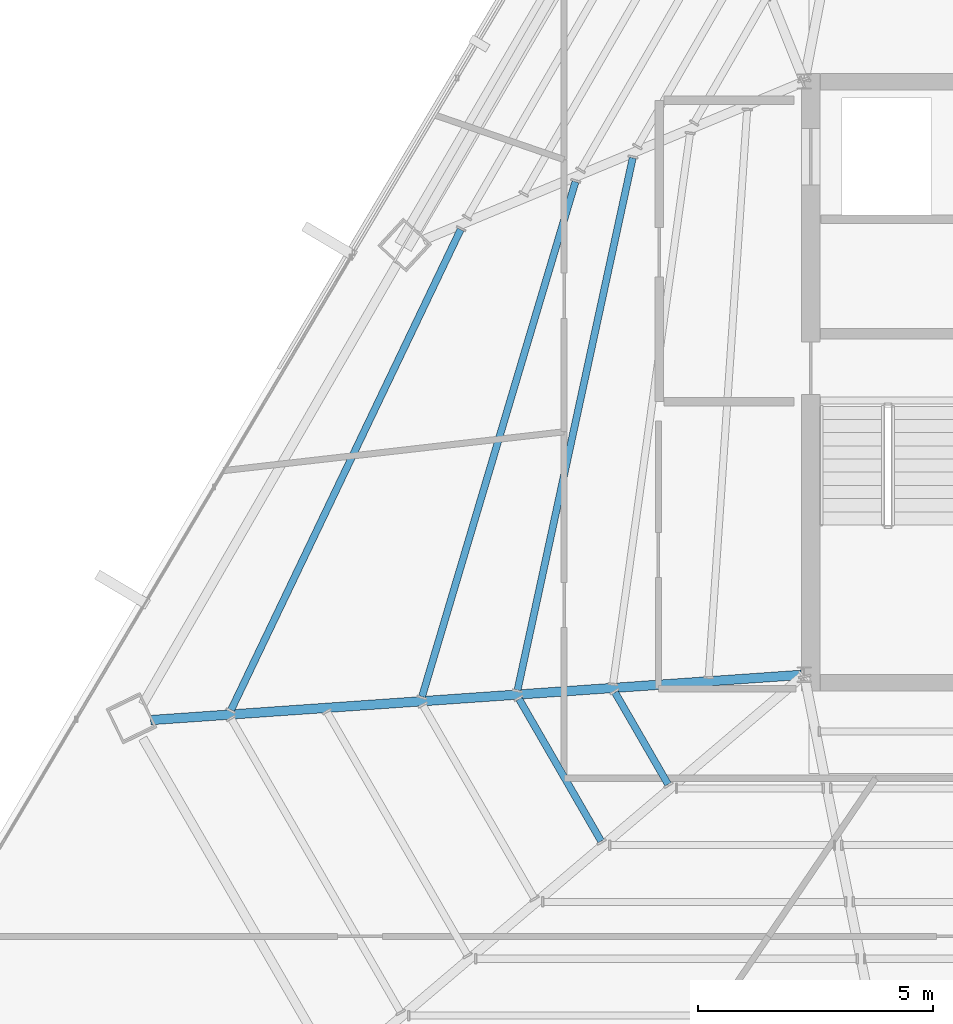
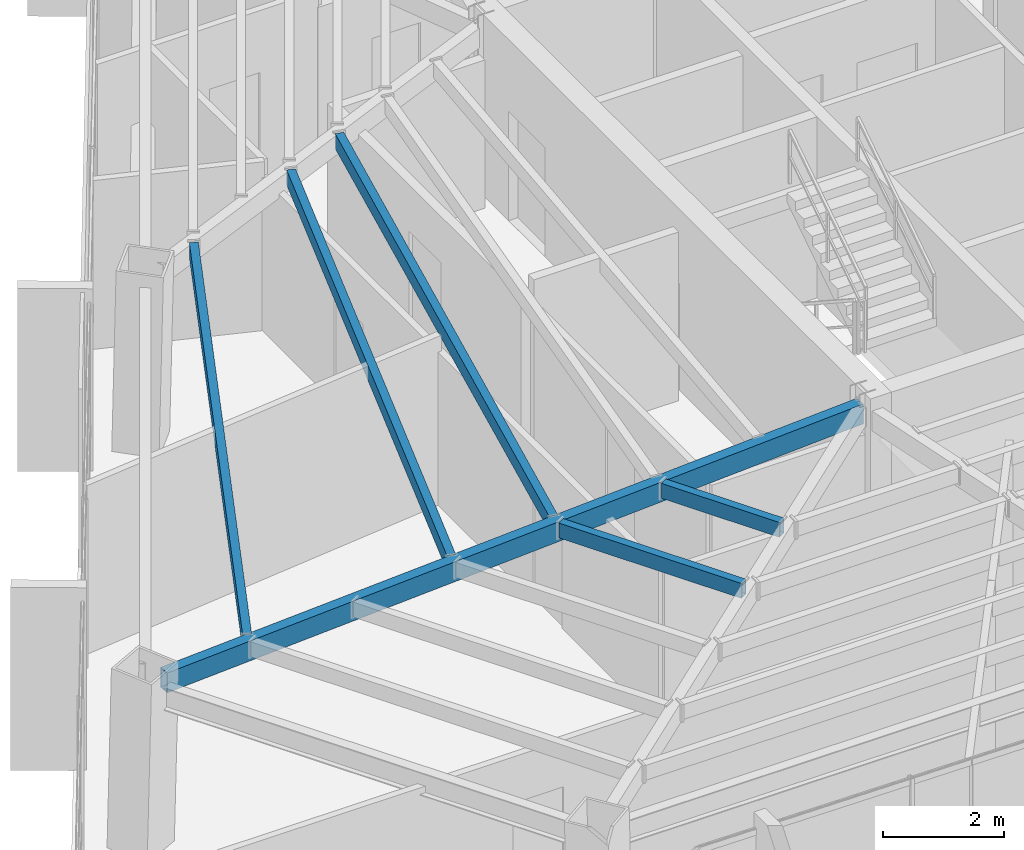
# One storey, part 10 of 49: 6 beams.
"""IFC4 building model written with IfcOpenShell, lengths in metres."""

from ifc_helpers import new_model, si_unit, direction, frame, origin, origin_2d, place, context, subcontext, project, spatial, hollow_rectangle, extrude, source, transform, mapped, material, material_profile, profile_set, type_object, type_shapes, element, save


model = new_model("IFC4")

# Units and contexts
model_context = context("Model", 3, precision=1e-05, world=origin(), true_north=direction((0.0, 1.0)))
body_context = subcontext(model_context, "Body", "Model", "MODEL_VIEW")
ifc_project = project(units=[si_unit("LENGTHUNIT", "METRE"), si_unit("AREAUNIT", "SQUARE_METRE"), si_unit("VOLUMEUNIT", "CUBIC_METRE"), si_unit("PLANEANGLEUNIT", "RADIAN"), si_unit("MASSUNIT", "GRAM", prefix="KILO")], contexts=[model_context])

# Site, building, storey
site_placement = place(None, origin())
site = spatial("IfcSite", under=ifc_project, at=site_placement, CompositionType="ELEMENT")
building_placement = place(site_placement, origin())
building = spatial("IfcBuilding", under=site, at=building_placement, Name="Caelisora Broadcast Tower", CompositionType="ELEMENT")
storey_placement = place(building_placement, frame((0.0, 0.0, 233.5)))
storey = spatial("IfcBuildingStorey", under=building, at=storey_placement, Name="L61", CompositionType="ELEMENT", Elevation=233.5)

# Beams
ifc_material = material(Name="Steel Grade 350 (AS/NZS 1163 C350L0)", Category="steel")
ifc_material_profile_1 = material_profile(ifc_material, hollow_rectangle(XDim=0.199951171875, YDim=0.39990234375, WallThickness=0.012451171875, at=origin_2d()), Name="Steel Grade 350 (AS/NZS 1163 C350L0)")
ifc_profile_set_1 = profile_set([ifc_material_profile_1], Name="Steel Grade 350 (AS/NZS 1163 C350L0)")
beam_type_1 = type_object("IfcBeamType", Name="PG07", PredefinedType="BEAM", material=ifc_profile_set_1)
shared_shape_1 = source(origin(), body_context, "Body", "SweptSolid", [
    extrude(hollow_rectangle(XDim=0.199951171875, YDim=0.39990234375, WallThickness=0.012451171875, at=origin_2d()), origin(), (0.0, 0.0, 1.0), 13.85888671875),
])
type_shapes(beam_type_1, [shared_shape_1])
beam_1_placement = place(storey_placement, frame((30.440185546875, 17.395751953125, 3.199951171875), z_axis=(-0.997593242513, -0.069337742191, 0.0), x_axis=(0.069337742191, -0.997593242513, 0.0)))
element("IfcBeam", 1, at=beam_1_placement, inside=storey, type_object=beam_type_1, Name="L61 beam PG07", PredefinedType="BEAM", context=body_context, shape_type="MappedRepresentation", body=[
    mapped(shared_shape_1, transform((0.0, 0.0, 0.0), scale=1.0)),
])
ifc_material_profile_2 = material_profile(ifc_material, hollow_rectangle(XDim=0.14990234375, YDim=0.300048828125, WallThickness=0.010009765625, at=origin_2d()), Name="Steel Grade 350 (AS/NZS 1163 C350L0)")
ifc_profile_set_2 = profile_set([ifc_material_profile_2], Name="Steel Grade 350 (AS/NZS 1163 C350L0)")
beam_type_2 = type_object("IfcBeamType", Name="SB05", PredefinedType="JOIST", material=ifc_profile_set_2)
shared_shape_2 = source(origin(), body_context, "Body", "SweptSolid", [
    extrude(hollow_rectangle(XDim=0.14990234375, YDim=0.300048828125, WallThickness=0.010009765625, at=origin_2d()), origin(), (0.0, 0.0, 1.0), 11.565673828125),
])
beam_2_placement = place(storey_placement, frame((26.856689453125, 28.3779296875, 3.25), z_axis=(-0.211554070368, -0.977366295362, 0.0), x_axis=(0.977366295362, -0.211554070368, 0.0)))
element("IfcBeam", 2, at=beam_2_placement, inside=storey, type_object=beam_type_2, Name="L61 beam SB05", PredefinedType="JOIST", context=body_context, shape_type="MappedRepresentation", body=[
    mapped(shared_shape_2, transform((0.0, 0.0, 0.0), scale=1.0)),
])
shared_shape_3 = source(origin(), body_context, "Body", "SweptSolid", [
    extrude(hollow_rectangle(XDim=0.14990234375, YDim=0.300048828125, WallThickness=0.010009765625, at=origin_2d()), origin(), (0.0, 0.0, 1.0), 11.4130859375),
])
beam_3_placement = place(storey_placement, frame((25.639892578125, 27.87109375, 3.25), z_axis=(-0.285549742428, -0.958363889449, 0.0), x_axis=(0.958363889449, -0.285549742428, 0.0)))
element("IfcBeam", 3, at=beam_3_placement, inside=storey, type_object=beam_type_2, Name="L61 beam SB05", PredefinedType="JOIST", context=body_context, shape_type="MappedRepresentation", body=[
    mapped(shared_shape_3, transform((0.0, 0.0, 0.0), scale=1.0)),
])
shared_shape_4 = source(origin(), body_context, "Body", "SweptSolid", [
    extrude(hollow_rectangle(XDim=0.14990234375, YDim=0.300048828125, WallThickness=0.010009765625, at=origin_2d()), origin(), (0.0, 0.0, 1.0), 11.309326171875),
])
beam_4_placement = place(storey_placement, frame((23.200439453125, 26.85546875, 3.25), z_axis=(-0.431106375281, -0.902301110047, 0.0), x_axis=(0.902301110047, -0.431106375281, 0.0)))
element("IfcBeam", 4, at=beam_4_placement, inside=storey, type_object=beam_type_2, Name="L61 beam SB05", PredefinedType="JOIST", context=body_context, shape_type="MappedRepresentation", body=[
    mapped(shared_shape_4, transform((0.0, 0.0, 0.0), scale=1.0)),
])
shared_shape_5 = source(origin(), body_context, "Body", "SweptSolid", [
    extrude(hollow_rectangle(XDim=0.14990234375, YDim=0.300048828125, WallThickness=0.010009765625, at=origin_2d()), origin(), (0.0, 0.0, 1.0), 2.253662109375),
])
beam_5_placement = place(storey_placement, frame((26.479736328125, 17.02294921875, 3.25), z_axis=(0.499972532251, -0.866041261716, 0.0), x_axis=(0.866041261716, 0.499972532251, 0.0)))
element("IfcBeam", 5, at=beam_5_placement, inside=storey, type_object=beam_type_2, Name="L61 beam SB05", PredefinedType="JOIST", context=body_context, shape_type="MappedRepresentation", body=[
    mapped(shared_shape_5, transform((0.0, 0.0, 0.0), scale=1.0)),
])
shared_shape_6 = source(origin(), body_context, "Body", "SweptSolid", [
    extrude(hollow_rectangle(XDim=0.14990234375, YDim=0.300048828125, WallThickness=0.010009765625, at=origin_2d()), origin(), (0.0, 0.0, 1.0), 3.48388671875),
])
type_shapes(beam_type_2, [shared_shape_2, shared_shape_3, shared_shape_4, shared_shape_5, shared_shape_6])
beam_6_placement = place(storey_placement, frame((24.4423828125, 16.88134765625, 3.25), z_axis=(0.500005538244, -0.866022206254, 0.0), x_axis=(0.866022206254, 0.500005538244, 0.0)))
element("IfcBeam", 6, at=beam_6_placement, inside=storey, type_object=beam_type_2, Name="L61 beam SB05", PredefinedType="JOIST", context=body_context, shape_type="MappedRepresentation", body=[
    mapped(shared_shape_6, transform((0.0, 0.0, 0.0), scale=1.0)),
])

save(model, "model.ifc")
